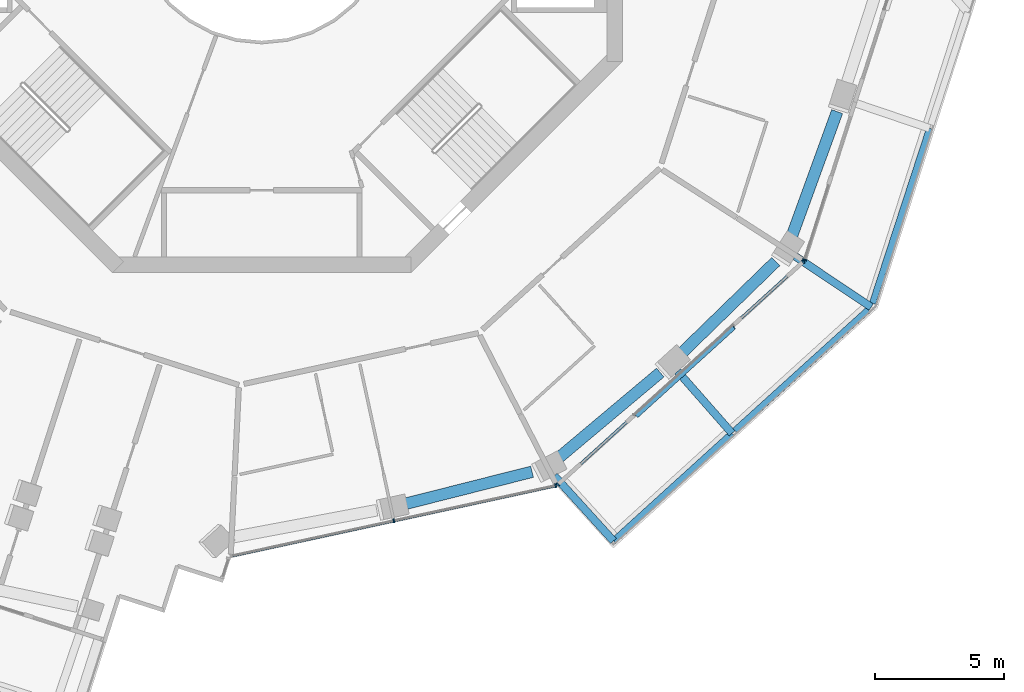
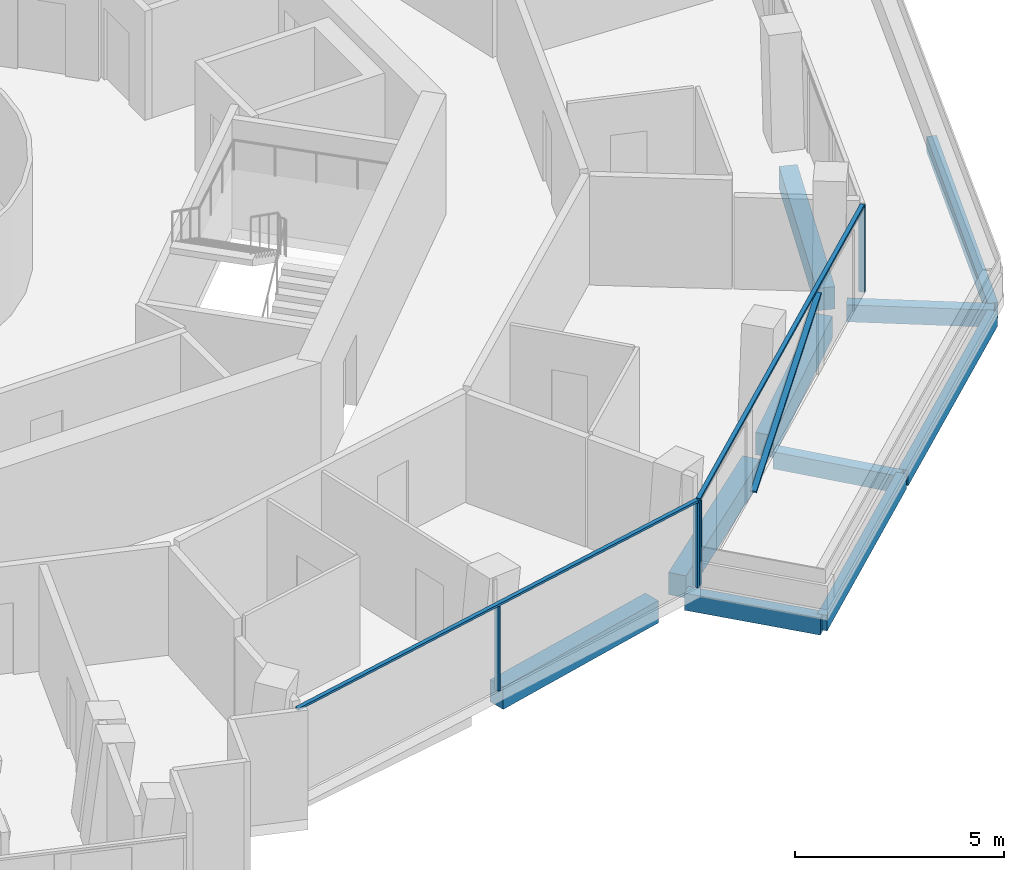
# One storey, part 4 of 23: 10 beams, 8 members, 3 elements without a shape of their own.
"""IFC4 building model written with IfcOpenShell, lengths in metres."""

from ifc_helpers import new_model, si_unit, direction, frame, origin, origin_2d, place, context, subcontext, project, spatial, rectangle, extrude, material, layer, layer_set, material_profile, profile_set, type_object, element, aggregate, save


model = new_model("IFC4")

# Units and contexts
model_context = context("Model", 3, precision=1e-05, world=origin(), true_north=direction((0.0, 1.0)))
body_context = subcontext(model_context, "Body", "Model", "MODEL_VIEW")
ifc_project = project(units=[si_unit("LENGTHUNIT", "METRE"), si_unit("AREAUNIT", "SQUARE_METRE"), si_unit("VOLUMEUNIT", "CUBIC_METRE"), si_unit("PLANEANGLEUNIT", "RADIAN"), si_unit("MASSUNIT", "GRAM", prefix="KILO")], contexts=[model_context])

# Site, building, storey
site_placement = place(None, origin())
site = spatial("IfcSite", under=ifc_project, at=site_placement, CompositionType="ELEMENT")
building_placement = place(site_placement, origin())
building = spatial("IfcBuilding", under=site, at=building_placement, Name="Verdalira Terraces Hotel", CompositionType="ELEMENT")
storey_placement = place(building_placement, frame((0.0, 0.0, 205.5)))
storey = spatial("IfcBuildingStorey", under=building, at=storey_placement, Name="L50", CompositionType="ELEMENT", Elevation=205.5)

# Beams
ifc_material_1 = material(Name="Concrete C40", Category="concrete")
ifc_material_profile_1 = material_profile(ifc_material_1, rectangle(XDim=0.300049, YDim=0.5, at=origin_2d()), Name="RC 300X500")
ifc_profile_set_1 = profile_set([ifc_material_profile_1], Name="Concrete C40")
beam_type_1 = type_object("IfcBeamType", Name="Balcony cantilever beam RC 300X500 C40", PredefinedType="BEAM", material=ifc_profile_set_1)
beam_1_placement = place(storey_placement, frame((11.356689, -21.885498, -0.560059), z_axis=(0.672210922, -0.740359694, 0.0), x_axis=(0.740359694, 0.672210922, 0.0)))
element("IfcBeam", 1, at=beam_1_placement, inside=storey, type_object=beam_type_1, Name="Balcony cantilever beam R26-1", PredefinedType="BEAM", context=body_context, shape_type="SweptSolid", body=[
    extrude(rectangle(XDim=0.300049, YDim=0.5, at=origin_2d()), origin(), (0.0, 0.0, 1.0), 3.421143),
])
beam_2_placement = place(storey_placement, frame((16.147461, -17.833984, -0.560059), z_axis=(0.659778062, -0.751460517, 0.0), x_axis=(0.751460517, 0.659778062, 0.0)))
element("IfcBeam", 2, at=beam_2_placement, inside=storey, type_object=beam_type_1, Name="Balcony cantilever beam R26-2", PredefinedType="BEAM", context=body_context, shape_type="SweptSolid", body=[
    extrude(rectangle(XDim=0.300049, YDim=0.5, at=origin_2d()), origin(), (0.0, 0.0, 1.0), 3.200684),
])
beam_3_placement = place(storey_placement, frame((20.714355, -13.370361, -0.560059), z_axis=(0.831774838, -0.555113159, 0.0), x_axis=(0.555113159, 0.831774838, 0.0)))
element("IfcBeam", 3, at=beam_3_placement, inside=storey, type_object=beam_type_1, Name="Balcony cantilever beam R26-3", PredefinedType="BEAM", context=body_context, shape_type="SweptSolid", body=[
    extrude(rectangle(XDim=0.300049, YDim=0.5, at=origin_2d()), origin(), (0.0, 0.0, 1.0), 3.546631),
])
ifc_material_2 = material(Name="Concrete C40", Category="concrete")
ifc_material_profile_2 = material_profile(ifc_material_2, rectangle(XDim=0.25, YDim=0.449951, at=origin_2d()), Name="RC 250X450")
ifc_profile_set_2 = profile_set([ifc_material_profile_2], Name="Concrete C40")
beam_type_2 = type_object("IfcBeamType", Name="Balcony edge beam RC 250X450 C40", PredefinedType="BEAM", material=ifc_profile_set_2)
beam_4_placement = place(storey_placement, frame((13.656494, -24.418457, -0.534912), z_axis=(0.740352178, 0.6722192, 0.0), x_axis=(-0.6722192, 0.740352178, 0.0)))
element("IfcBeam", 4, at=beam_4_placement, inside=storey, type_object=beam_type_2, Name="Balcony edge beam R26-1", PredefinedType="BEAM", context=body_context, shape_type="SweptSolid", body=[
    extrude(rectangle(XDim=0.25, YDim=0.449951, at=origin_2d()), origin(), (0.0, 0.0, 1.0), 6.217041),
])
beam_5_placement = place(storey_placement, frame((18.370361, -20.138428, -0.534912), z_axis=(0.740884309, 0.671632667, 0.0), x_axis=(-0.671632667, 0.740884309, 0.0)))
element("IfcBeam", 5, at=beam_5_placement, inside=storey, type_object=beam_type_2, Name="Balcony edge beam R26-2", PredefinedType="BEAM", context=body_context, shape_type="SweptSolid", body=[
    extrude(rectangle(XDim=0.25, YDim=0.449951, at=origin_2d()), origin(), (0.0, 0.0, 1.0), 6.990967),
])
beam_6_placement = place(storey_placement, frame((23.712891, -15.191162, -0.534912), z_axis=(0.310605901, 0.950538781, 0.0), x_axis=(-0.950538781, 0.310605901, 0.0)))
element("IfcBeam", 6, at=beam_6_placement, inside=storey, type_object=beam_type_2, Name="Balcony edge beam R26-3", PredefinedType="BEAM", context=body_context, shape_type="SweptSolid", body=[
    extrude(rectangle(XDim=0.25, YDim=0.449951, at=origin_2d()), origin(), (0.0, 0.0, 1.0), 7.146484),
])

# Curtain wall, members
ifc_material_3 = material(Name="Clear glass", Category="glass")
ifc_layer = layer(ifc_material_3, 0.14990234375)
ifc_layer_set = layer_set([ifc_layer], Name="CW1 curtain wall")
curtain_wall_type = type_object("IfcCurtainWallType", Name="CW1 curtain wall", PredefinedType="NOTDEFINED", material=ifc_layer_set)
curtain_wall_1_placement = place(storey_placement, origin())
curtain_wall_1 = element("IfcCurtainWall", 7, at=curtain_wall_1_placement, inside=storey, type_object=curtain_wall_type, Name="CW1 curtain wall L50 edge 25", PredefinedType="NOTDEFINED")
ifc_material_4 = material(Name="Terracotta frame", Category="masonry")
ifc_material_profile_3 = material_profile(ifc_material_4, rectangle(XDim=0.060059, YDim=0.149902, at=origin_2d()), Name="MU 60x150")
ifc_profile_set_3 = profile_set([ifc_material_profile_3], Name="Terracotta frame")
member_type_1 = type_object("IfcMemberType", Name="CW1 mullion 60x150", PredefinedType="MULLION", material=ifc_profile_set_3)
member_1_placement = place(storey_placement, frame((5.126953, -23.633545, 0.0), z_axis=(0.0, 0.0, 1.0), x_axis=(0.977268124, 0.21200711, 0.0)))
member_1 = element("IfcMember", 8, at=member_1_placement, type_object=member_type_1, Name="CW1 mullion", PredefinedType="MULLION", context=body_context, shape_type="SweptSolid", body=[
    extrude(rectangle(XDim=0.060059, YDim=0.149902, at=origin_2d()), origin(), (0.0, 0.0, 1.0), 2.475098),
])
member_2_placement = place(storey_placement, frame((11.410645, -22.270508, 0.0), z_axis=(0.0, 0.0, 1.0), x_axis=(0.977268124, 0.21200711, 0.0)))
member_2 = element("IfcMember", 9, at=member_2_placement, type_object=member_type_1, Name="CW1 mullion", PredefinedType="MULLION", context=body_context, shape_type="SweptSolid", body=[
    extrude(rectangle(XDim=0.060059, YDim=0.149902, at=origin_2d()), origin(), (0.0, 0.0, 1.0), 2.475098),
])

curtain_wall_2_placement = place(storey_placement, origin())
curtain_wall_2 = element("IfcCurtainWall", 10, at=curtain_wall_2_placement, inside=storey, type_object=curtain_wall_type, Name="CW1 curtain wall L50 edge 26", PredefinedType="NOTDEFINED")
member_3_placement = place(storey_placement, frame((11.496826, -22.226074, 0.0), z_axis=(0.0, 0.0, 1.0), x_axis=(0.740335466, 0.672237605, 0.0)))
member_3 = element("IfcMember", 11, at=member_3_placement, type_object=member_type_1, Name="CW1 mullion", PredefinedType="MULLION", context=body_context, shape_type="SweptSolid", body=[
    extrude(rectangle(XDim=0.060059, YDim=0.149902, at=origin_2d()), origin(), (0.0, 0.0, 1.0), 2.475098),
])
member_4_placement = place(storey_placement, frame((21.01709, -13.581299, 0.0), z_axis=(0.0, 0.0, 1.0), x_axis=(0.740335466, 0.672237605, 0.0)))
member_4 = element("IfcMember", 12, at=member_4_placement, type_object=member_type_1, Name="CW1 mullion", PredefinedType="MULLION", context=body_context, shape_type="SweptSolid", body=[
    extrude(rectangle(XDim=0.060059, YDim=0.149902, at=origin_2d()), origin(), (0.0, 0.0, 1.0), 2.475098),
])

# Curtain wall, member
curtain_wall_3_placement = place(storey_placement, origin())
curtain_wall_3 = element("IfcCurtainWall", 13, at=curtain_wall_3_placement, inside=storey, type_object=curtain_wall_type, Name="CW1 curtain wall L50 edge 27", PredefinedType="NOTDEFINED")
member_5_placement = place(storey_placement, frame((21.06958, -13.5, 0.0), z_axis=(0.0, 0.0, 1.0), x_axis=(0.305030519, 0.952342576, 0.0)))
member_5 = element("IfcMember", 14, at=member_5_placement, type_object=member_type_1, Name="CW1 mullion", PredefinedType="MULLION", context=body_context, shape_type="SweptSolid", body=[
    extrude(rectangle(XDim=0.060059, YDim=0.149902, at=origin_2d()), origin(), (0.0, 0.0, 1.0), 2.475098),
])
aggregate(curtain_wall_3, [member_5])

# Member
ifc_material_5 = material(Name="Terracotta frame", Category="masonry")
ifc_material_profile_4 = material_profile(ifc_material_5, rectangle(XDim=0.110107, YDim=0.064941, at=origin_2d()), Name="TR 65x110")
ifc_profile_set_4 = profile_set([ifc_material_profile_4], Name="Terracotta frame")
member_type_2 = type_object("IfcMemberType", Name="CW1 transom 65x110", PredefinedType="USERDEFINED", material=ifc_profile_set_4)
member_6_placement = place(storey_placement, frame((-1.225098, -25.011719, 2.507568), z_axis=(0.977267746, 0.212008852, 0.0), x_axis=(-0.212008852, 0.977267746, 0.0)))
member_6 = element("IfcMember", 15, at=member_6_placement, type_object=member_type_2, Name="CW1 transom", ObjectType="TRANSOM", PredefinedType="USERDEFINED", context=body_context, shape_type="SweptSolid", body=[
    extrude(rectangle(XDim=0.110107, YDim=0.064941, at=origin_2d()), origin(), (0.0, 0.0, 1.0), 12.959717),
])

aggregate(curtain_wall_1, [member_1, member_2, member_6])

member_7_placement = place(storey_placement, frame((11.474609, -22.246338, 2.507568), z_axis=(0.740329861, 0.672243778, 0.0), x_axis=(-0.672243778, 0.740329861, 0.0)))
member_7 = element("IfcMember", 16, at=member_7_placement, type_object=member_type_2, Name="CW1 transom", ObjectType="TRANSOM", PredefinedType="USERDEFINED", context=body_context, shape_type="SweptSolid", body=[
    extrude(rectangle(XDim=0.110107, YDim=0.064941, at=origin_2d()), origin(), (0.0, 0.0, 1.0), 12.919434),
])

ifc_material_6 = material(Name="Terracotta frame", Category="masonry")
ifc_material_profile_5 = material_profile(ifc_material_6, rectangle(XDim=0.149902, YDim=0.060059, at=origin_2d()), Name="GB 60x150")
ifc_profile_set_5 = profile_set([ifc_material_profile_5], Name="Terracotta frame")
member_type_3 = type_object("IfcMemberType", Name="Diagonal glazing bar 60x150", PredefinedType="USERDEFINED", material=ifc_profile_set_5)
member_8_placement = place(storey_placement, frame((14.55957, -19.565186, 0.028076), z_axis=(0.669040071, 0.60750325, 0.428164903), x_axis=(-0.672239495, 0.74033375, 0.0)))
member_8 = element("IfcMember", 17, at=member_8_placement, type_object=member_type_3, Name="Diagonal glazing bar", ObjectType="GLAZING BAR", PredefinedType="USERDEFINED", context=body_context, shape_type="SweptSolid", body=[
    extrude(rectangle(XDim=0.149902, YDim=0.060059, at=origin_2d()), origin(), (0.0, 0.0, 1.0), 5.649658),
])

aggregate(curtain_wall_2, [member_3, member_4, member_7, member_8])

# Beams
ifc_material_7 = material(Name="Concrete C50", Category="concrete")
ifc_material_profile_6 = material_profile(ifc_material_7, rectangle(XDim=0.449951, YDim=0.649902, at=origin_2d()), Name="RC 450X650")
ifc_profile_set_6 = profile_set([ifc_material_profile_6], Name="Concrete C50")
beam_type_3 = type_object("IfcBeamType", Name="Spandrel beam RC 450X650 C50", PredefinedType="SPANDREL", material=ifc_profile_set_6)
beam_7_placement = place(storey_placement, frame((5.464844, -23.004395, -0.63501), z_axis=(0.969435499, 0.245346313, 0.0), x_axis=(-0.245346313, 0.969435499, 0.0)))
element("IfcBeam", 18, at=beam_7_placement, inside=storey, type_object=beam_type_3, Name="Spandrel beam B12", PredefinedType="SPANDREL", context=body_context, shape_type="SweptSolid", body=[
    extrude(rectangle(XDim=0.449951, YDim=0.649902, at=origin_2d()), origin(), (0.0, 0.0, 1.0), 5.189453),
])
beam_8_placement = place(storey_placement, frame((11.495361, -21.217285, -0.63501), z_axis=(0.765992859, 0.64284908, 0.0), x_axis=(-0.64284908, 0.765992859, 0.0)))
element("IfcBeam", 19, at=beam_8_placement, inside=storey, type_object=beam_type_3, Name="Spandrel beam B13", PredefinedType="SPANDREL", context=body_context, shape_type="SweptSolid", body=[
    extrude(rectangle(XDim=0.449951, YDim=0.649902, at=origin_2d()), origin(), (0.0, 0.0, 1.0), 5.192383),
])
beam_9_placement = place(storey_placement, frame((16.234863, -17.189941, -0.63501), z_axis=(0.716894324, 0.697181847, 0.0), x_axis=(-0.697181847, 0.716894324, 0.0)))
element("IfcBeam", 20, at=beam_9_placement, inside=storey, type_object=beam_type_3, Name="Spandrel beam B14", PredefinedType="SPANDREL", context=body_context, shape_type="SweptSolid", body=[
    extrude(rectangle(XDim=0.449951, YDim=0.649902, at=origin_2d()), origin(), (0.0, 0.0, 1.0), 5.189453),
])
beam_10_placement = place(storey_placement, frame((20.563965, -12.627197, -0.63501), z_axis=(0.34192427, 0.93972751, 0.0), x_axis=(-0.93972751, 0.34192427, 0.0)))
element("IfcBeam", 21, at=beam_10_placement, inside=storey, type_object=beam_type_3, Name="Spandrel beam B15", PredefinedType="SPANDREL", context=body_context, shape_type="SweptSolid", body=[
    extrude(rectangle(XDim=0.449951, YDim=0.649902, at=origin_2d()), origin(), (0.0, 0.0, 1.0), 5.192383),
])

save(model, "model.ifc")
